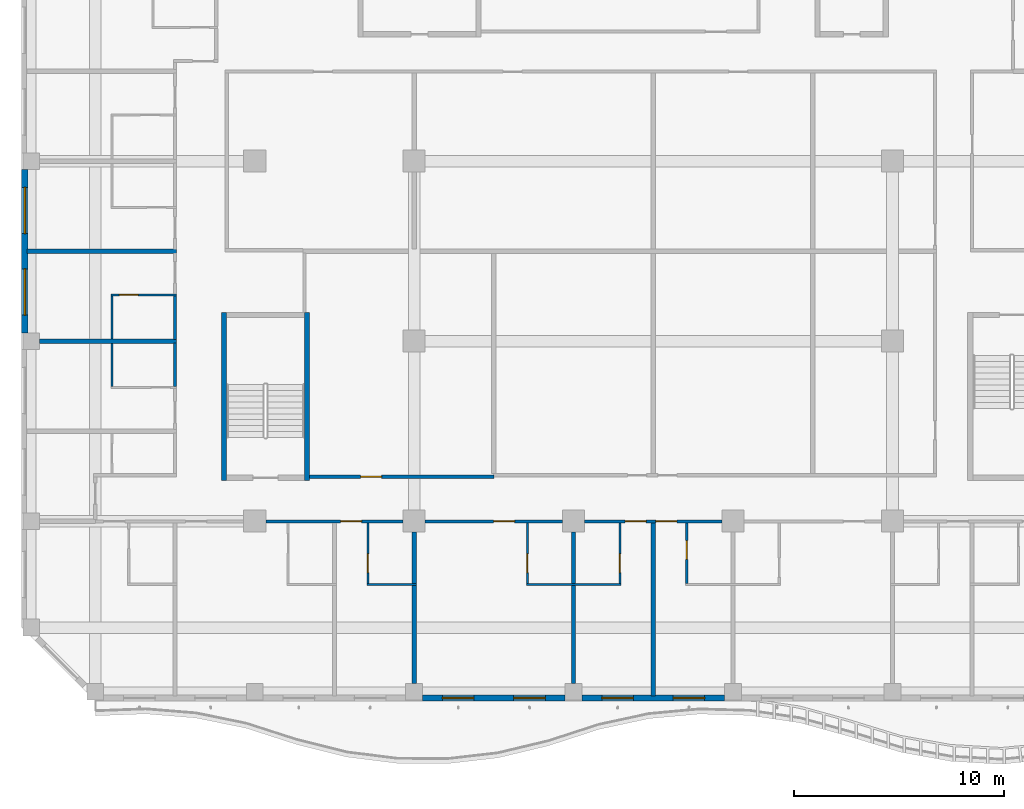
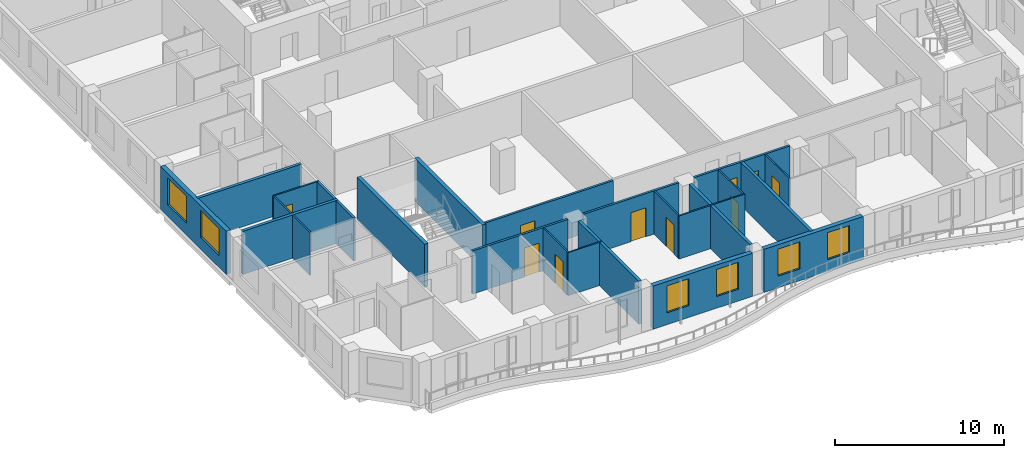
# One storey, part 3 of 21: 27 walls, 10 doors, 6 windows, 16 openings.
"""IFC4 building model written with IfcOpenShell, lengths in metres."""

from ifc_helpers import new_model, si_unit, direction, frame, frame_2d, origin, place, context, subcontext, project, spatial, rectangle, extrude, source, transform, mapped, material, layer, layer_set, type_object, element, fill, save


model = new_model("IFC4")

# Units and contexts
model_context = context("Model", 3, precision=1e-05, world=origin(), true_north=direction((0.0, 1.0)))
body_context = subcontext(model_context, "Body", "Model", "MODEL_VIEW")
ifc_project = project(units=[si_unit("LENGTHUNIT", "METRE"), si_unit("AREAUNIT", "SQUARE_METRE"), si_unit("VOLUMEUNIT", "CUBIC_METRE"), si_unit("PLANEANGLEUNIT", "RADIAN"), si_unit("MASSUNIT", "GRAM", prefix="KILO")], contexts=[model_context])

# Site, building, storey
site_placement = place(None, origin())
site = spatial("IfcSite", under=ifc_project, at=site_placement, CompositionType="ELEMENT")
building_placement = place(site_placement, origin())
building = spatial("IfcBuilding", under=site, at=building_placement, Name="Kilnfold Tower and Market Hall", CompositionType="ELEMENT")
storey_placement = place(building_placement, frame((0.0, 0.0, 182.10009765625)))
storey = spatial("IfcBuildingStorey", under=building, at=storey_placement, Name="L43", CompositionType="ELEMENT", Elevation=182.10009765625)

# Wall, opening, door
ifc_material_1 = material(Name="Gypsum board on steel studs", Category="steel")
ifc_layer_1 = layer(ifc_material_1, 0.14990234375)
ifc_layer_set_1 = layer_set([ifc_layer_1], Name="Gypsum board on steel studs")
wall_type_1 = type_object("IfcWallType", Name="WALL CORRIDOR 150", PredefinedType="PARTITIONING", material=ifc_layer_set_1)
wall_1_placement = place(storey_placement, frame((-15.64208984375, -17.699951171875, 0.0), z_axis=(0.0, 0.0, 1.0), x_axis=(1.0, 0.0, 0.0)))
wall_1 = element("IfcWall", 1, at=wall_1_placement, inside=storey, type_object=wall_type_1, Name="Partition LY27.2", PredefinedType="PARTITIONING", context=body_context, shape_type="SweptSolid", body=[
    extrude(rectangle(XDim=6.5341796875, YDim=0.14990234375, at=frame_2d((3.26708984375, 0.0))), origin(), (0.0, 0.0, 1.0), 3.119873046875),
])
opening_1_placement = place(wall_1_placement, frame((3.56298828125, 0.0, 0.0)))
opening_1 = element("IfcOpeningElement", 2, at=opening_1_placement, cuts=wall_1, Name="Opening D1", PredefinedType="OPENING", context=body_context, shape_type="SweptSolid", body=[
    extrude(rectangle(XDim=1.0, YDim=2.10009765625, at=frame_2d((0.5, 1.050048828125))), frame((0.0, 0.0849609375, 0.0), z_axis=(0.0, -1.0, 0.0), x_axis=(1.0, 0.0, 0.0)), (0.0, 0.0, 1.0), 0.169921875),
])
ifc_material_2 = material(Name="Timber veneer door leaf in steel frame", Category="steel")
door_type_1 = type_object("IfcDoorType", Name="DOOR ENTRY 1000 X2100", OperationType="NOTDEFINED", PredefinedType="DOOR", material=ifc_material_2)
door_1_placement = place(opening_1_placement, origin())
door_1 = element("IfcDoor", 3, at=door_1_placement, inside=storey, type_object=door_type_1, Name="Door D1", OperationType="SINGLE_SWING_RIGHT", OverallHeight=2.10009765625, OverallWidth=1.0, PredefinedType="DOOR", context=body_context, shape_type="SweptSolid", body=[
    extrude(rectangle(XDim=1.0, YDim=2.10009765625, at=frame_2d((0.5, 1.050048828125))), frame((0.0, 0.02490234375, 0.0), z_axis=(0.0, -1.0, 0.0), x_axis=(1.0, 0.0, 0.0)), (0.0, 0.0, 1.0), 0.050048828125),
])
fill(opening_1, door_1)

wall_2_placement = place(storey_placement, frame((-8.05810546875, -17.699951171875, 0.0), z_axis=(0.0, 0.0, 1.0), x_axis=(1.0, 0.0, 0.0)))
wall_2 = element("IfcWall", 4, at=wall_2_placement, inside=storey, type_object=wall_type_1, Name="Partition LY27.3", PredefinedType="PARTITIONING", context=body_context, shape_type="SweptSolid", body=[
    extrude(rectangle(XDim=6.533203125, YDim=0.14990234375, at=frame_2d((3.2666015625, 0.0))), origin(), (0.0, 0.0, 1.0), 3.119873046875),
])
opening_2_placement = place(wall_2_placement, frame((3.260009765625, 0.0, 0.0)))
opening_2 = element("IfcOpeningElement", 5, at=opening_2_placement, cuts=wall_2, Name="Opening D1", PredefinedType="OPENING", context=body_context, shape_type="SweptSolid", body=[
    extrude(rectangle(XDim=1.0, YDim=2.10009765625, at=frame_2d((0.5, 1.050048828125))), frame((0.0, 0.0849609375, 0.0), z_axis=(0.0, -1.0, 0.0), x_axis=(1.0, 0.0, 0.0)), (0.0, 0.0, 1.0), 0.169921875),
])
door_2_placement = place(opening_2_placement, origin())
door_2 = element("IfcDoor", 6, at=door_2_placement, inside=storey, type_object=door_type_1, Name="Door D1", OperationType="SINGLE_SWING_LEFT", OverallHeight=2.10009765625, OverallWidth=1.0, PredefinedType="DOOR", context=body_context, shape_type="SweptSolid", body=[
    extrude(rectangle(XDim=1.0, YDim=2.10009765625, at=frame_2d((0.5, 1.050048828125))), frame((0.0, 0.02490234375, 0.0), z_axis=(0.0, -1.0, 0.0), x_axis=(1.0, 0.0, 0.0)), (0.0, 0.0, 1.0), 0.050048828125),
])
fill(opening_2, door_2)

# Wall, openings, doors
wall_3_placement = place(storey_placement, frame((-0.47509765625, -17.699951171875, 0.0), z_axis=(0.0, 0.0, 1.0), x_axis=(1.0, 0.0, 0.0)))
wall_3 = element("IfcWall", 7, at=wall_3_placement, inside=storey, type_object=wall_type_1, Name="Partition LY27.4", PredefinedType="PARTITIONING", context=body_context, shape_type="SweptSolid", body=[
    extrude(rectangle(XDim=6.533203125, YDim=0.14990234375, at=frame_2d((3.2666015625, 0.0))), origin(), (0.0, 0.0, 1.0), 3.119873046875),
])
opening_3_placement = place(wall_3_placement, frame((1.926025390625, 0.0, 0.0)))
opening_3 = element("IfcOpeningElement", 8, at=opening_3_placement, cuts=wall_3, Name="Opening D1", PredefinedType="OPENING", context=body_context, shape_type="SweptSolid", body=[
    extrude(rectangle(XDim=1.0, YDim=2.10009765625, at=frame_2d((0.5, 1.050048828125))), frame((0.0, 0.0849609375, 0.0), z_axis=(0.0, -1.0, 0.0), x_axis=(1.0, 0.0, 0.0)), (0.0, 0.0, 1.0), 0.169921875),
])
opening_4_placement = place(wall_3_placement, frame((3.386962890625, 0.0, 0.0)))
opening_4 = element("IfcOpeningElement", 9, at=opening_4_placement, cuts=wall_3, Name="Opening D1", PredefinedType="OPENING", context=body_context, shape_type="SweptSolid", body=[
    extrude(rectangle(XDim=1.0, YDim=2.10009765625, at=frame_2d((0.5, 1.050048828125))), frame((0.0, 0.0849609375, 0.0), z_axis=(0.0, -1.0, 0.0), x_axis=(1.0, 0.0, 0.0)), (0.0, 0.0, 1.0), 0.169921875),
])
door_3_placement = place(opening_3_placement, origin())
door_3 = element("IfcDoor", 10, at=door_3_placement, inside=storey, type_object=door_type_1, Name="Door D1", OperationType="SINGLE_SWING_RIGHT", OverallHeight=2.10009765625, OverallWidth=1.0, PredefinedType="DOOR", context=body_context, shape_type="SweptSolid", body=[
    extrude(rectangle(XDim=1.0, YDim=2.10009765625, at=frame_2d((0.5, 1.050048828125))), frame((0.0, 0.02490234375, 0.0), z_axis=(0.0, -1.0, 0.0), x_axis=(1.0, 0.0, 0.0)), (0.0, 0.0, 1.0), 0.050048828125),
])
fill(opening_3, door_3)
door_4_placement = place(opening_4_placement, origin())
door_4 = element("IfcDoor", 11, at=door_4_placement, inside=storey, type_object=door_type_1, Name="Door D1", OperationType="SINGLE_SWING_LEFT", OverallHeight=2.10009765625, OverallWidth=1.0, PredefinedType="DOOR", context=body_context, shape_type="SweptSolid", body=[
    extrude(rectangle(XDim=1.0, YDim=2.10009765625, at=frame_2d((0.5, 1.050048828125))), frame((0.0, 0.02490234375, 0.0), z_axis=(0.0, -1.0, 0.0), x_axis=(1.0, 0.0, 0.0)), (0.0, 0.0, 1.0), 0.050048828125),
])
fill(opening_4, door_4)

# Walls
for number, where, z_axis, x_axis, name in (
    (12, (-19.958984375, -11.284912109375, 0.0), (0.0, 0.0, 1.0), (0.0, 1.0, 0.0), "Partition LY27.11"),
    (13, (-19.958984375, -9.034912109375, 0.0), (0.0, 0.0, 1.0), (0.0, 1.0, 0.0), "Partition LY27.13"),
):
    element("IfcWall", number, at=place(storey_placement, frame(where, z_axis=z_axis, x_axis=x_axis)), inside=storey, type_object=wall_type_1, Name=name, PredefinedType="PARTITIONING", context=body_context, shape_type="SweptSolid", body=[
        extrude(rectangle(XDim=2.06982421875, YDim=0.14990234375, at=frame_2d((1.034912109375, 0.0))), origin(), (0.0, 0.0, 1.0), 3.119873046875),
    ])

# Wall, opening, door
wall_4_placement = place(storey_placement, frame((-4.781982421875, -15.574951171875, 0.0), z_axis=(0.0, 0.0, 1.0), x_axis=(-1.0, 0.0, 0.0)))
wall_4 = element("IfcWall", 14, at=wall_4_placement, inside=storey, type_object=wall_type_1, Name="Partition LY27.47", PredefinedType="PARTITIONING", context=body_context, shape_type="SweptSolid", body=[
    extrude(rectangle(XDim=8.76806640625, YDim=0.14990234375, at=frame_2d((4.384033203125, 0.0))), origin(), (0.0, 0.0, 1.0), 3.119873046875),
])
opening_5_placement = place(wall_4_placement, frame((5.347900390625, 0.0, 0.0)))
opening_5 = element("IfcOpeningElement", 15, at=opening_5_placement, cuts=wall_4, Name="Opening D4", PredefinedType="OPENING", context=body_context, shape_type="SweptSolid", body=[
    extrude(rectangle(XDim=1.0, YDim=2.10009765625, at=frame_2d((0.5, 1.050048828125))), frame((0.0, 0.0849609375, 0.0), z_axis=(0.0, -1.0, 0.0), x_axis=(1.0, 0.0, 0.0)), (0.0, 0.0, 1.0), 0.169921875),
])
ifc_material_3 = material(Name="Timber veneer door leaf in steel frame", Category="steel")
door_type_2 = type_object("IfcDoorType", Name="DOOR SERVICE 1000 X2100", OperationType="NOTDEFINED", PredefinedType="DOOR", material=ifc_material_3)
door_5_placement = place(opening_5_placement, origin())
door_5 = element("IfcDoor", 16, at=door_5_placement, inside=storey, type_object=door_type_2, Name="Door D4", OperationType="SINGLE_SWING_RIGHT", OverallHeight=2.10009765625, OverallWidth=1.0, PredefinedType="DOOR", context=body_context, shape_type="SweptSolid", body=[
    extrude(rectangle(XDim=1.0, YDim=2.10009765625, at=frame_2d((0.5, 1.050048828125))), frame((0.0, 0.02490234375, 0.0), z_axis=(0.0, -1.0, 0.0), x_axis=(1.0, 0.0, 0.0)), (0.0, 0.0, 1.0), 0.050048828125),
])
fill(opening_5, door_5)

ifc_material_4 = material(Name="Gypsum board on steel studs", Category="steel")
ifc_layer_2 = layer(ifc_material_4, 0.10009765625)
ifc_layer_set_2 = layer_set([ifc_layer_2], Name="Gypsum board on steel studs")
wall_type_2 = type_object("IfcWallType", Name="WALL PARTITION 100", PredefinedType="PARTITIONING", material=ifc_layer_set_2)
wall_5_placement = place(storey_placement, frame((-10.782958984375, -20.652099609375, 0.0), z_axis=(0.0, 0.0, 1.0), x_axis=(0.0, 1.0, 0.0)))
wall_5 = element("IfcWall", 17, at=wall_5_placement, inside=storey, type_object=wall_type_2, Name="Partition LY27.59", PredefinedType="PARTITIONING", context=body_context, shape_type="SweptSolid", body=[
    extrude(rectangle(XDim=2.875, YDim=0.10009765625, at=frame_2d((1.4375, 0.0))), origin(), (0.0, 0.0, 1.0), 3.119873046875),
])
opening_6_placement = place(wall_5_placement, frame((0.514892578125, 0.0, 0.0)))
opening_6 = element("IfcOpeningElement", 18, at=opening_6_placement, cuts=wall_5, Name="Opening D3", PredefinedType="OPENING", context=body_context, shape_type="SweptSolid", body=[
    extrude(rectangle(XDim=0.89990234375, YDim=2.10009765625, at=frame_2d((0.449951171875, 1.050048828125))), frame((0.0, 0.06005859375, 0.0), z_axis=(0.0, -1.0, 0.0), x_axis=(1.0, 0.0, 0.0)), (0.0, 0.0, 1.0), 0.1201171875),
])
ifc_material_5 = material(Name="Timber veneer door leaf in steel frame", Category="steel")
door_type_3 = type_object("IfcDoorType", Name="DOOR WC 900 X2100", OperationType="NOTDEFINED", PredefinedType="DOOR", material=ifc_material_5)
door_6_placement = place(opening_6_placement, origin())
door_6 = element("IfcDoor", 19, at=door_6_placement, inside=storey, type_object=door_type_3, Name="Door D3", OperationType="SINGLE_SWING_RIGHT", OverallHeight=2.10009765625, OverallWidth=0.89990234375, PredefinedType="DOOR", context=body_context, shape_type="SweptSolid", body=[
    extrude(rectangle(XDim=0.89990234375, YDim=2.10009765625, at=frame_2d((0.449951171875, 1.050048828125))), frame((0.0, 0.02490234375, 0.0), z_axis=(0.0, -1.0, 0.0), x_axis=(1.0, 0.0, 0.0)), (0.0, 0.0, 1.0), 0.050048828125),
])
fill(opening_6, door_6)

# Wall
wall_6_placement = place(storey_placement, frame((-10.8330078125, -20.701904296875, 0.0), z_axis=(0.0, 0.0, 1.0), x_axis=(1.0, 0.0, 0.0)))
element("IfcWall", 20, at=wall_6_placement, inside=storey, type_object=wall_type_2, Name="Partition LY27.60", PredefinedType="PARTITIONING", context=body_context, shape_type="SweptSolid", body=[
    extrude(rectangle(XDim=2.35009765625, YDim=0.10009765625, at=frame_2d((1.175048828125, 0.0))), origin(), (0.0, 0.0, 1.0), 3.119873046875),
])

# Wall, opening, door
wall_7_placement = place(storey_placement, frame((-3.199951171875, -20.652099609375, 0.0), z_axis=(0.0, 0.0, 1.0), x_axis=(0.0, 1.0, 0.0)))
wall_7 = element("IfcWall", 21, at=wall_7_placement, inside=storey, type_object=wall_type_2, Name="Partition LY27.63", PredefinedType="PARTITIONING", context=body_context, shape_type="SweptSolid", body=[
    extrude(rectangle(XDim=2.875, YDim=0.10009765625, at=frame_2d((1.4375, 0.0))), origin(), (0.0, 0.0, 1.0), 3.119873046875),
])
opening_7_placement = place(wall_7_placement, frame((0.514892578125, 0.0, 0.0)))
opening_7 = element("IfcOpeningElement", 22, at=opening_7_placement, cuts=wall_7, Name="Opening D3", PredefinedType="OPENING", context=body_context, shape_type="SweptSolid", body=[
    extrude(rectangle(XDim=0.89990234375, YDim=2.10009765625, at=frame_2d((0.449951171875, 1.050048828125))), frame((0.0, 0.06005859375, 0.0), z_axis=(0.0, -1.0, 0.0), x_axis=(1.0, 0.0, 0.0)), (0.0, 0.0, 1.0), 0.1201171875),
])
door_7_placement = place(opening_7_placement, origin())
door_7 = element("IfcDoor", 23, at=door_7_placement, inside=storey, type_object=door_type_3, Name="Door D3", OperationType="SINGLE_SWING_RIGHT", OverallHeight=2.10009765625, OverallWidth=0.89990234375, PredefinedType="DOOR", context=body_context, shape_type="SweptSolid", body=[
    extrude(rectangle(XDim=0.89990234375, YDim=2.10009765625, at=frame_2d((0.449951171875, 1.050048828125))), frame((0.0, 0.02490234375, 0.0), z_axis=(0.0, -1.0, 0.0), x_axis=(1.0, 0.0, 0.0)), (0.0, 0.0, 1.0), 0.050048828125),
])
fill(opening_7, door_7)

# Wall
wall_8_placement = place(storey_placement, frame((-3.25, -20.701904296875, 0.0), z_axis=(0.0, 0.0, 1.0), x_axis=(1.0, 0.0, 0.0)))
element("IfcWall", 24, at=wall_8_placement, inside=storey, type_object=wall_type_2, Name="Partition LY27.64", PredefinedType="PARTITIONING", context=body_context, shape_type="SweptSolid", body=[
    extrude(rectangle(XDim=4.5, YDim=0.10009765625, at=frame_2d((2.25, 0.0))), origin(), (0.0, 0.0, 1.0), 3.119873046875),
])

# Wall, opening, door
wall_9_placement = place(storey_placement, frame((1.199951171875, -17.777099609375, 0.0), z_axis=(0.0, 0.0, 1.0), x_axis=(0.0, -1.0, 0.0)))
wall_9 = element("IfcWall", 25, at=wall_9_placement, inside=storey, type_object=wall_type_2, Name="Partition LY27.67", PredefinedType="PARTITIONING", context=body_context, shape_type="SweptSolid", body=[
    extrude(rectangle(XDim=2.875, YDim=0.10009765625, at=frame_2d((1.4375, 0.0))), origin(), (0.0, 0.0, 1.0), 3.119873046875),
])
opening_8_placement = place(wall_9_placement, frame((1.4599609375, 0.0, 0.0)))
opening_8 = element("IfcOpeningElement", 26, at=opening_8_placement, cuts=wall_9, Name="Opening D3", PredefinedType="OPENING", context=body_context, shape_type="SweptSolid", body=[
    extrude(rectangle(XDim=0.89990234375, YDim=2.10009765625, at=frame_2d((0.449951171875, 1.050048828125))), frame((0.0, 0.06005859375, 0.0), z_axis=(0.0, -1.0, 0.0), x_axis=(1.0, 0.0, 0.0)), (0.0, 0.0, 1.0), 0.1201171875),
])
door_8_placement = place(opening_8_placement, origin())
door_8 = element("IfcDoor", 27, at=door_8_placement, inside=storey, type_object=door_type_3, Name="Door D3", OperationType="SINGLE_SWING_LEFT", OverallHeight=2.10009765625, OverallWidth=0.89990234375, PredefinedType="DOOR", context=body_context, shape_type="SweptSolid", body=[
    extrude(rectangle(XDim=0.89990234375, YDim=2.10009765625, at=frame_2d((0.449951171875, 1.050048828125))), frame((0.0, 0.02490234375, 0.0), z_axis=(0.0, -1.0, 0.0), x_axis=(1.0, 0.0, 0.0)), (0.0, 0.0, 1.0), 0.050048828125),
])
fill(opening_8, door_8)

wall_10_placement = place(storey_placement, frame((4.383056640625, -20.652099609375, 0.0), z_axis=(0.0, 0.0, 1.0), x_axis=(0.0, 1.0, 0.0)))
wall_10 = element("IfcWall", 28, at=wall_10_placement, inside=storey, type_object=wall_type_2, Name="Partition LY27.69", PredefinedType="PARTITIONING", context=body_context, shape_type="SweptSolid", body=[
    extrude(rectangle(XDim=2.875, YDim=0.10009765625, at=frame_2d((1.4375, 0.0))), origin(), (0.0, 0.0, 1.0), 3.119873046875),
])
opening_9_placement = place(wall_10_placement, frame((1.14501953125, 0.0, 0.0)))
opening_9 = element("IfcOpeningElement", 29, at=opening_9_placement, cuts=wall_10, Name="Opening D3", PredefinedType="OPENING", context=body_context, shape_type="SweptSolid", body=[
    extrude(rectangle(XDim=0.89990234375, YDim=2.10009765625, at=frame_2d((0.449951171875, 1.050048828125))), frame((0.0, 0.06005859375, 0.0), z_axis=(0.0, -1.0, 0.0), x_axis=(1.0, 0.0, 0.0)), (0.0, 0.0, 1.0), 0.1201171875),
])
door_9_placement = place(opening_9_placement, origin())
door_9 = element("IfcDoor", 30, at=door_9_placement, inside=storey, type_object=door_type_3, Name="Door D3", OperationType="SINGLE_SWING_RIGHT", OverallHeight=2.10009765625, OverallWidth=0.89990234375, PredefinedType="DOOR", context=body_context, shape_type="SweptSolid", body=[
    extrude(rectangle(XDim=0.89990234375, YDim=2.10009765625, at=frame_2d((0.449951171875, 1.050048828125))), frame((0.0, 0.02490234375, 0.0), z_axis=(0.0, -1.0, 0.0), x_axis=(1.0, 0.0, 0.0)), (0.0, 0.0, 1.0), 0.050048828125),
])
fill(opening_9, door_9)

# Wall
wall_11_placement = place(storey_placement, frame((-22.9609375, -11.27490234375, 0.0), z_axis=(0.0, 0.0, 1.0), x_axis=(0.0, 1.0, 0.0)))
element("IfcWall", 31, at=wall_11_placement, inside=storey, type_object=wall_type_2, Name="Partition LY27.86", PredefinedType="PARTITIONING", context=body_context, shape_type="SweptSolid", body=[
    extrude(rectangle(XDim=2.0498046875, YDim=0.10009765625, at=frame_2d((1.02490234375, 0.0))), origin(), (0.0, 0.0, 1.0), 3.119873046875),
])

# Wall, opening, door
wall_12_placement = place(storey_placement, frame((-23.010986328125, -6.925048828125, 0.0), z_axis=(0.0, 0.0, 1.0), x_axis=(1.0, 0.0, 0.0)))
wall_12 = element("IfcWall", 32, at=wall_12_placement, inside=storey, type_object=wall_type_2, Name="Partition LY27.88", PredefinedType="PARTITIONING", context=body_context, shape_type="SweptSolid", body=[
    extrude(rectangle(XDim=3.125, YDim=0.10009765625, at=frame_2d((1.5625, 0.0))), origin(), (0.0, 0.0, 1.0), 3.119873046875),
])
opening_10_placement = place(wall_12_placement, frame((0.403076171875, 0.0, 0.0)))
opening_10 = element("IfcOpeningElement", 33, at=opening_10_placement, cuts=wall_12, Name="Opening D3", PredefinedType="OPENING", context=body_context, shape_type="SweptSolid", body=[
    extrude(rectangle(XDim=0.89990234375, YDim=2.10009765625, at=frame_2d((0.449951171875, 1.050048828125))), frame((0.0, 0.06005859375, 0.0), z_axis=(0.0, -1.0, 0.0), x_axis=(1.0, 0.0, 0.0)), (0.0, 0.0, 1.0), 0.1201171875),
])
door_10_placement = place(opening_10_placement, origin())
door_10 = element("IfcDoor", 34, at=door_10_placement, inside=storey, type_object=door_type_3, Name="Door D3", OperationType="SINGLE_SWING_LEFT", OverallHeight=2.10009765625, OverallWidth=0.89990234375, PredefinedType="DOOR", context=body_context, shape_type="SweptSolid", body=[
    extrude(rectangle(XDim=0.89990234375, YDim=2.10009765625, at=frame_2d((0.449951171875, 1.050048828125))), frame((0.0, 0.02490234375, 0.0), z_axis=(0.0, -1.0, 0.0), x_axis=(1.0, 0.0, 0.0)), (0.0, 0.0, 1.0), 0.050048828125),
])
fill(opening_10, door_10)

# Walls
wall_13_placement = place(storey_placement, frame((-22.9609375, -9.02490234375, 0.0), z_axis=(0.0, 0.0, 1.0), x_axis=(0.0, 1.0, 0.0)))
element("IfcWall", 35, at=wall_13_placement, inside=storey, type_object=wall_type_2, Name="Partition LY27.89", PredefinedType="PARTITIONING", context=body_context, shape_type="SweptSolid", body=[
    extrude(rectangle(XDim=2.0498046875, YDim=0.10009765625, at=frame_2d((1.02490234375, 0.0))), origin(), (0.0, 0.0, 1.0), 3.119873046875),
])
ifc_material_6 = material(Name="Gypsum board on steel studs", Category="steel")
ifc_layer_3 = layer(ifc_material_6, 0.199951171875)
ifc_layer_set_3 = layer_set([ifc_layer_3], Name="Gypsum board on steel studs")
wall_type_3 = type_object("IfcWallType", Name="WALL PARTY 200", PredefinedType="PARTITIONING", material=ifc_layer_set_3)
wall_14_placement = place(storey_placement, frame((-8.5830078125, -25.39990234375, 0.0), z_axis=(0.0, 0.0, 1.0), x_axis=(0.0, 1.0, 0.0)))
element("IfcWall", 36, at=wall_14_placement, inside=storey, type_object=wall_type_3, Name="Partition LY27.61", PredefinedType="PARTITIONING", context=body_context, shape_type="SweptSolid", body=[
    extrude(rectangle(XDim=4.64794921875, YDim=0.199951171875, at=frame_2d((2.323974609375, 0.0))), origin(), (0.0, 0.0, 1.0), 3.119873046875),
])
wall_15_placement = place(storey_placement, frame((-8.5830078125, -20.652099609375, 0.0), z_axis=(0.0, 0.0, 1.0), x_axis=(0.0, 1.0, 0.0)))
element("IfcWall", 37, at=wall_15_placement, inside=storey, type_object=wall_type_3, Name="Partition LY27.62", PredefinedType="PARTITIONING", context=body_context, shape_type="SweptSolid", body=[
    extrude(rectangle(XDim=2.440185546875, YDim=0.199951171875, at=frame_2d((1.22021484375, 0.0))), origin(), (0.0, 0.0, 1.0), 3.119873046875),
])
wall_16_placement = place(storey_placement, frame((-1.0, -25.39990234375, 0.0), z_axis=(0.0, 0.0, 1.0), x_axis=(0.0, 1.0, 0.0)))
element("IfcWall", 38, at=wall_16_placement, inside=storey, type_object=wall_type_3, Name="Partition LY27.65", PredefinedType="PARTITIONING", context=body_context, shape_type="SweptSolid", body=[
    extrude(rectangle(XDim=4.64794921875, YDim=0.199951171875, at=frame_2d((2.323974609375, 0.0))), origin(), (0.0, 0.0, 1.0), 3.119873046875),
])
wall_17_placement = place(storey_placement, frame((-1.0, -20.652099609375, 0.0), z_axis=(0.0, 0.0, 1.0), x_axis=(0.0, 1.0, 0.0)))
element("IfcWall", 39, at=wall_17_placement, inside=storey, type_object=wall_type_3, Name="Partition LY27.66", PredefinedType="PARTITIONING", context=body_context, shape_type="SweptSolid", body=[
    extrude(rectangle(XDim=2.440185546875, YDim=0.199951171875, at=frame_2d((1.22021484375, 0.0))), origin(), (0.0, 0.0, 1.0), 3.119873046875),
])
wall_18_placement = place(storey_placement, frame((2.7919921875, -26.0, 0.0), z_axis=(0.0, 0.0, 1.0), x_axis=(0.0, 1.0, 0.0)))
element("IfcWall", 40, at=wall_18_placement, inside=storey, type_object=wall_type_3, Name="Partition LY27.68", PredefinedType="PARTITIONING", context=body_context, shape_type="SweptSolid", body=[
    extrude(rectangle(XDim=8.222900390625, YDim=0.199951171875, at=frame_2d((4.111328125, 0.0))), origin(), (0.0, 0.0, 1.0), 3.119873046875),
])
wall_19_placement = place(storey_placement, frame((-26.39990234375, -9.125, 0.0), z_axis=(0.0, 0.0, 1.0), x_axis=(1.0, 0.0, 0.0)))
element("IfcWall", 41, at=wall_19_placement, inside=storey, type_object=wall_type_3, Name="Partition LY27.87", PredefinedType="PARTITIONING", context=body_context, shape_type="SweptSolid", body=[
    extrude(rectangle(XDim=6.513916015625, YDim=0.199951171875, at=frame_2d((3.2568359375, 0.0))), origin(), (0.0, 0.0, 1.0), 3.119873046875),
])
wall_20_placement = place(storey_placement, frame((-27.0, -4.843017578125, 0.0), z_axis=(0.0, 0.0, 1.0), x_axis=(1.0, 0.0, 0.0)))
element("IfcWall", 42, at=wall_20_placement, inside=storey, type_object=wall_type_3, Name="Partition LY27.90", PredefinedType="PARTITIONING", context=body_context, shape_type="SweptSolid", body=[
    extrude(rectangle(XDim=7.114013671875, YDim=0.199951171875, at=frame_2d((3.55712890625, 0.0))), origin(), (0.0, 0.0, 1.0), 3.119873046875),
])
ifc_material_7 = material(Name="Concrete C60", Category="concrete")
ifc_layer_4 = layer(ifc_material_7, 0.25)
ifc_layer_set_4 = layer_set([ifc_layer_4], Name="Concrete C60")
wall_type_4 = type_object("IfcWallType", Name="CORE WALL 250 C60", PredefinedType="SHEAR", material=ifc_layer_set_4)
shared_shape_1 = source(origin(), body_context, "Body", "SweptSolid", [
    extrude(rectangle(XDim=8.0, YDim=0.25, at=frame_2d((4.0, 0.0))), origin(), (0.0, 0.0, 1.0), 3.119873046875),
])
for number, where, z_axis, x_axis, name in (
    (43, (-17.625, -15.75, 0.0), (0.0, 0.0, 1.0), (0.0, 1.0, 0.0), "Stair enclosure ST3"),
    (44, (-13.675048828125, -15.75, 0.0), (0.0, 0.0, 1.0), (0.0, 1.0, 0.0), "Stair enclosure ST3"),
):
    element("IfcWall", number, at=place(storey_placement, frame(where, z_axis=z_axis, x_axis=x_axis)), inside=storey, type_object=wall_type_4, Name=name, PredefinedType="SHEAR", context=body_context, shape_type="MappedRepresentation", body=[
        mapped(shared_shape_1, transform((0.0, 0.0, 0.0))),
    ])

# Wall, openings, windows
ifc_material_8 = material(Name="Precast concrete C50/60", Category="concrete")
ifc_layer_5 = layer(ifc_material_8, 0.300048828125)
ifc_layer_set_5 = layer_set([ifc_layer_5], Name="Precast concrete C50/60")
wall_type_5 = type_object("IfcWallType", Name="PRECAST WALL 300", PredefinedType="SOLIDWALL", material=ifc_layer_set_5)
shared_shape_2 = source(origin(), body_context, "Body", "SweptSolid", [
    extrude(rectangle(XDim=6.783447265625, YDim=0.300048828125, at=frame_2d((3.3916015625, 0.0))), origin(), (0.0, 0.0, 1.0), 3.119873046875),
])
wall_21_placement = place(storey_placement, frame((-8.183349609375, -26.10009765625, 0.0), z_axis=(0.0, 0.0, 1.0), x_axis=(1.0, 0.0, 0.0)))
wall_21 = element("IfcWall", 45, at=wall_21_placement, inside=storey, type_object=wall_type_5, Name="External wall L43 S", PredefinedType="SOLIDWALL", context=body_context, shape_type="MappedRepresentation", body=[
    mapped(shared_shape_2, transform((0.0, 0.0, 0.0))),
])
opening_11_placement = place(wall_21_placement, frame((0.94580078125, 0.0, 0.85009765625)))
opening_11 = element("IfcOpeningElement", 46, at=opening_11_placement, cuts=wall_21, Name="Opening W4", PredefinedType="OPENING", context=body_context, shape_type="SweptSolid", body=[
    extrude(rectangle(XDim=1.5, YDim=1.949951171875, at=frame_2d((0.75, 0.97509765625))), frame((0.0, 0.16015625, 0.0), z_axis=(0.0, -1.0, 0.0), x_axis=(1.0, 0.0, 0.0)), (0.0, 0.0, 1.0), 0.320068359375),
])
opening_12_placement = place(wall_21_placement, frame((4.33740234375, 0.0, 0.85009765625)))
opening_12 = element("IfcOpeningElement", 47, at=opening_12_placement, cuts=wall_21, Name="Opening W4", PredefinedType="OPENING", context=body_context, shape_type="SweptSolid", body=[
    extrude(rectangle(XDim=1.5, YDim=1.949951171875, at=frame_2d((0.75, 0.97509765625))), frame((0.0, 0.16015625, 0.0), z_axis=(0.0, -1.0, 0.0), x_axis=(1.0, 0.0, 0.0)), (0.0, 0.0, 1.0), 0.320068359375),
])
ifc_material_9 = material(Name="Aluminium frame and double glazing", Category="aluminium")
window_type_1 = type_object("IfcWindowType", Name="WINDOW W4 1500X1950", PartitioningType="SINGLE_PANEL", PredefinedType="WINDOW", material=ifc_material_9)
window_1_placement = place(opening_11_placement, origin())
window_1 = element("IfcWindow", 48, at=window_1_placement, inside=storey, type_object=window_type_1, Name="Window W4 L43 S-1", OverallHeight=1.949951171875, OverallWidth=1.5, PartitioningType="SINGLE_PANEL", PredefinedType="WINDOW", context=body_context, shape_type="SweptSolid", body=[
    extrude(rectangle(XDim=1.5, YDim=1.949951171875, at=frame_2d((0.75, 0.97509765625))), frame((0.0, 0.030029296875, 0.0), z_axis=(0.0, -1.0, 0.0), x_axis=(1.0, 0.0, 0.0)), (0.0, 0.0, 1.0), 0.06005859375),
])
fill(opening_11, window_1)
window_2_placement = place(opening_12_placement, origin())
window_2 = element("IfcWindow", 49, at=window_2_placement, inside=storey, type_object=window_type_1, Name="Window W4 L43 S-2", OverallHeight=1.949951171875, OverallWidth=1.5, PartitioningType="SINGLE_PANEL", PredefinedType="WINDOW", context=body_context, shape_type="SweptSolid", body=[
    extrude(rectangle(XDim=1.5, YDim=1.949951171875, at=frame_2d((0.75, 0.97509765625))), frame((0.0, 0.030029296875, 0.0), z_axis=(0.0, -1.0, 0.0), x_axis=(1.0, 0.0, 0.0)), (0.0, 0.0, 1.0), 0.06005859375),
])
fill(opening_12, window_2)

wall_22_placement = place(storey_placement, frame((-0.60009765625, -26.10009765625, 0.0), z_axis=(0.0, 0.0, 1.0), x_axis=(1.0, 0.0, 0.0)))
wall_22 = element("IfcWall", 50, at=wall_22_placement, inside=storey, type_object=wall_type_5, Name="External wall L43 S", PredefinedType="SOLIDWALL", context=body_context, shape_type="MappedRepresentation", body=[
    mapped(shared_shape_2, transform((0.0, 0.0, 0.0))),
])
opening_13_placement = place(wall_22_placement, frame((0.94580078125, 0.0, 0.85009765625)))
opening_13 = element("IfcOpeningElement", 51, at=opening_13_placement, cuts=wall_22, Name="Opening W4", PredefinedType="OPENING", context=body_context, shape_type="SweptSolid", body=[
    extrude(rectangle(XDim=1.5, YDim=1.949951171875, at=frame_2d((0.75, 0.97509765625))), frame((0.0, 0.16015625, 0.0), z_axis=(0.0, -1.0, 0.0), x_axis=(1.0, 0.0, 0.0)), (0.0, 0.0, 1.0), 0.320068359375),
])
opening_14_placement = place(wall_22_placement, frame((4.33740234375, 0.0, 0.85009765625)))
opening_14 = element("IfcOpeningElement", 52, at=opening_14_placement, cuts=wall_22, Name="Opening W4", PredefinedType="OPENING", context=body_context, shape_type="SweptSolid", body=[
    extrude(rectangle(XDim=1.5, YDim=1.949951171875, at=frame_2d((0.75, 0.97509765625))), frame((0.0, 0.16015625, 0.0), z_axis=(0.0, -1.0, 0.0), x_axis=(1.0, 0.0, 0.0)), (0.0, 0.0, 1.0), 0.320068359375),
])
window_3_placement = place(opening_13_placement, origin())
window_3 = element("IfcWindow", 53, at=window_3_placement, inside=storey, type_object=window_type_1, Name="Window W4 L43 S-1", OverallHeight=1.949951171875, OverallWidth=1.5, PartitioningType="SINGLE_PANEL", PredefinedType="WINDOW", context=body_context, shape_type="SweptSolid", body=[
    extrude(rectangle(XDim=1.5, YDim=1.949951171875, at=frame_2d((0.75, 0.97509765625))), frame((0.0, 0.030029296875, 0.0), z_axis=(0.0, -1.0, 0.0), x_axis=(1.0, 0.0, 0.0)), (0.0, 0.0, 1.0), 0.06005859375),
])
fill(opening_13, window_3)
window_4_placement = place(opening_14_placement, origin())
window_4 = element("IfcWindow", 54, at=window_4_placement, inside=storey, type_object=window_type_1, Name="Window W4 L43 S-2", OverallHeight=1.949951171875, OverallWidth=1.5, PartitioningType="SINGLE_PANEL", PredefinedType="WINDOW", context=body_context, shape_type="SweptSolid", body=[
    extrude(rectangle(XDim=1.5, YDim=1.949951171875, at=frame_2d((0.75, 0.97509765625))), frame((0.0, 0.030029296875, 0.0), z_axis=(0.0, -1.0, 0.0), x_axis=(1.0, 0.0, 0.0)), (0.0, 0.0, 1.0), 0.06005859375),
])
fill(opening_14, window_4)

shared_shape_3 = source(origin(), body_context, "Body", "SweptSolid", [
    extrude(rectangle(XDim=7.7626953125, YDim=0.300048828125, at=frame_2d((3.88134765625, 0.0))), origin(), (0.0, 0.0, 1.0), 3.119873046875),
])
wall_23_placement = place(storey_placement, frame((-27.10009765625, -0.96240234375, 0.0), z_axis=(0.0, 0.0, 1.0), x_axis=(0.0, -1.0, 0.0)))
wall_23 = element("IfcWall", 55, at=wall_23_placement, inside=storey, type_object=wall_type_5, Name="External wall L43 W", PredefinedType="SOLIDWALL", context=body_context, shape_type="MappedRepresentation", body=[
    mapped(shared_shape_3, transform((0.0, 0.0, 0.0))),
])
opening_15_placement = place(wall_23_placement, frame((0.8408203125, 0.0, 0.85009765625)))
opening_15 = element("IfcOpeningElement", 56, at=opening_15_placement, cuts=wall_23, Name="Opening W2", PredefinedType="OPENING", context=body_context, shape_type="SweptSolid", body=[
    extrude(rectangle(XDim=2.199951171875, YDim=1.949951171875, at=frame_2d((1.10009765625, 0.97509765625))), frame((0.0, 0.16015625, 0.0), z_axis=(0.0, -1.0, 0.0), x_axis=(1.0, 0.0, 0.0)), (0.0, 0.0, 1.0), 0.320068359375),
])
opening_16_placement = place(wall_23_placement, frame((4.721923828125, 0.0, 0.85009765625)))
opening_16 = element("IfcOpeningElement", 57, at=opening_16_placement, cuts=wall_23, Name="Opening W2", PredefinedType="OPENING", context=body_context, shape_type="SweptSolid", body=[
    extrude(rectangle(XDim=2.199951171875, YDim=1.949951171875, at=frame_2d((1.10009765625, 0.97509765625))), frame((0.0, 0.16015625, 0.0), z_axis=(0.0, -1.0, 0.0), x_axis=(1.0, 0.0, 0.0)), (0.0, 0.0, 1.0), 0.320068359375),
])
ifc_material_10 = material(Name="Aluminium frame and double glazing", Category="aluminium")
window_type_2 = type_object("IfcWindowType", Name="WINDOW W2 2200X1950", PartitioningType="SINGLE_PANEL", PredefinedType="WINDOW", material=ifc_material_10)
window_5_placement = place(opening_15_placement, origin())
window_5 = element("IfcWindow", 58, at=window_5_placement, inside=storey, type_object=window_type_2, Name="Window W2 L43 W-1", OverallHeight=1.949951171875, OverallWidth=2.199951171875, PartitioningType="SINGLE_PANEL", PredefinedType="WINDOW", context=body_context, shape_type="SweptSolid", body=[
    extrude(rectangle(XDim=2.199951171875, YDim=1.949951171875, at=frame_2d((1.10009765625, 0.97509765625))), frame((0.0, 0.030029296875, 0.0), z_axis=(0.0, -1.0, 0.0), x_axis=(1.0, 0.0, 0.0)), (0.0, 0.0, 1.0), 0.06005859375),
])
fill(opening_15, window_5)
window_6_placement = place(opening_16_placement, origin())
window_6 = element("IfcWindow", 59, at=window_6_placement, inside=storey, type_object=window_type_2, Name="Window W2 L43 W-2", OverallHeight=1.949951171875, OverallWidth=2.199951171875, PartitioningType="SINGLE_PANEL", PredefinedType="WINDOW", context=body_context, shape_type="SweptSolid", body=[
    extrude(rectangle(XDim=2.199951171875, YDim=1.949951171875, at=frame_2d((1.10009765625, 0.97509765625))), frame((0.0, 0.030029296875, 0.0), z_axis=(0.0, -1.0, 0.0), x_axis=(1.0, 0.0, 0.0)), (0.0, 0.0, 1.0), 0.06005859375),
])
fill(opening_16, window_6)

save(model, "model.ifc")
